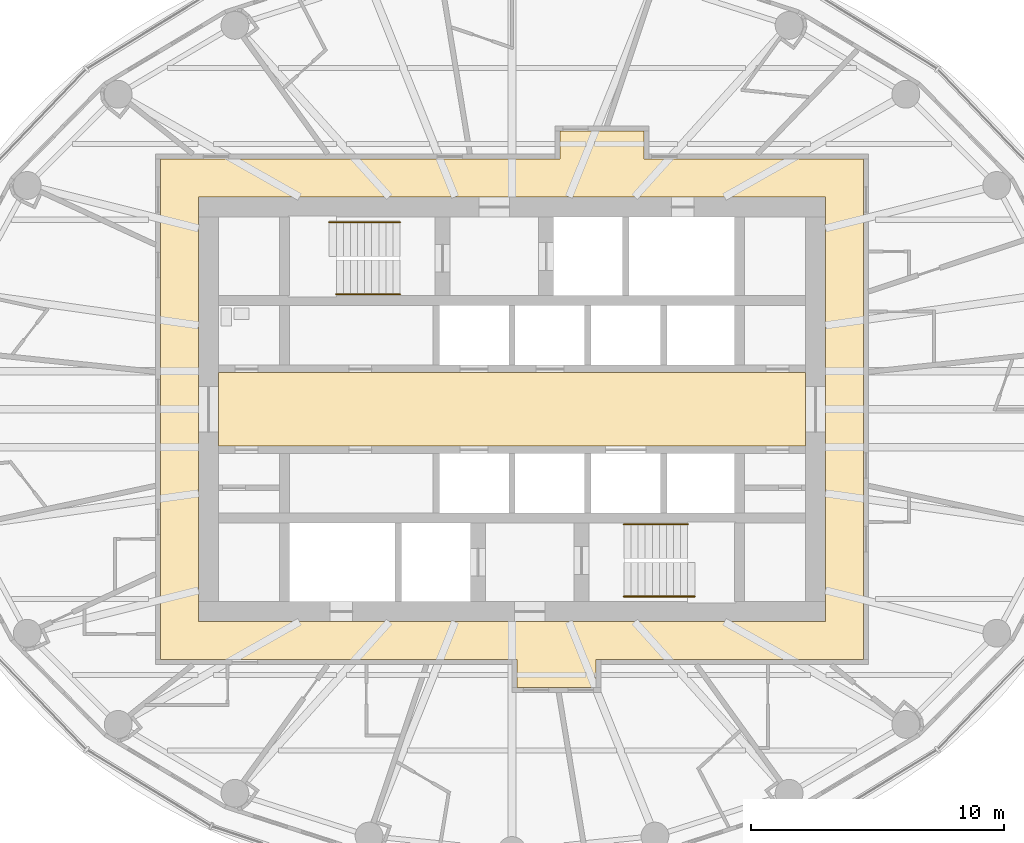
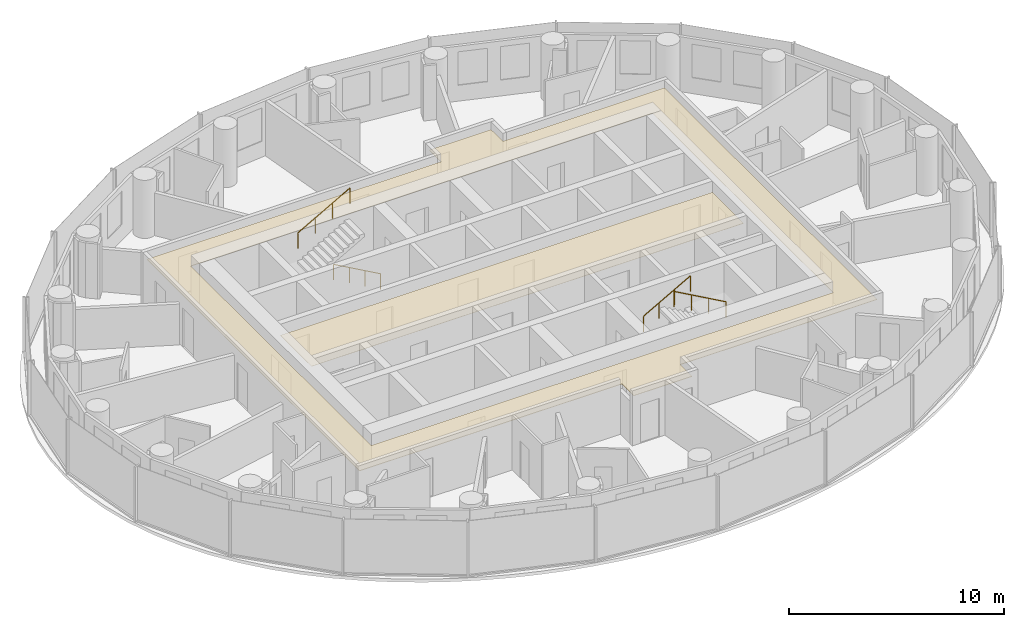
# One storey, part 13 of 14: 4 railings, 2 coverings.
"""IFC4 building model written with IfcOpenShell, lengths in metres."""

from ifc_helpers import new_model, si_unit, direction, frame, origin, origin_2d, place, context, subcontext, project, spatial, polyline, circle, outline, extrude, material, layer, layer_set, type_object, element, save


model = new_model("IFC4")

# Units and contexts
model_context = context("Model", 3, precision=1e-05, world=origin(), true_north=direction((0.0, 1.0)))
body_context = subcontext(model_context, "Body", "Model", "MODEL_VIEW")
ifc_project = project(units=[si_unit("LENGTHUNIT", "METRE"), si_unit("AREAUNIT", "SQUARE_METRE"), si_unit("VOLUMEUNIT", "CUBIC_METRE"), si_unit("PLANEANGLEUNIT", "RADIAN"), si_unit("MASSUNIT", "GRAM", prefix="KILO")], contexts=[model_context])

# Site, building, storey
site_placement = place(None, origin())
site = spatial("IfcSite", under=ifc_project, at=site_placement, CompositionType="ELEMENT")
building_placement = place(site_placement, origin())
building = spatial("IfcBuilding", under=site, at=building_placement, Name="Hankou Lantern Tower", CompositionType="ELEMENT")
storey_placement = place(building_placement, frame((0.0, 0.0, 176.39990234375)))
storey = spatial("IfcBuildingStorey", under=building, at=storey_placement, Name="L47", CompositionType="ELEMENT", Elevation=176.39990234375)

# Coverings
ifc_material_1 = material(Name="Black painted aluminium linear ceiling panels", Category="aluminium")
ifc_layer_1 = layer(ifc_material_1, 0.02490234375)
ifc_layer_set_1 = layer_set([ifc_layer_1], Name="Black painted aluminium linear ceiling panels")
covering_type_1 = type_object("IfcCoveringType", Name="CL1 CORRIDOR CEILING 25", PredefinedType="CEILING", material=ifc_layer_set_1)
covering_1_placement = place(storey_placement, frame((0.0, 0.0, 2.64501953125)))
element("IfcCovering", 1, at=covering_1_placement, inside=storey, type_object=covering_type_1, Name="Corridor ceiling L47", PredefinedType="CEILING", context=body_context, shape_type="SweptSolid", body=[
    extrude(outline(polyline([(3.318115234375, -9.89990234375), (13.89990234375, -9.89990234375), (13.89990234375, 9.89990234375), (5.226806640625, 9.89990234375), (5.226806640625, 11.0), (1.907470703125, 11.0), (1.907470703125, 9.89990234375), (-13.89990234375, 9.89990234375), (-13.89990234375, -9.89990234375), (0.194091796875, -9.89990234375), (0.194091796875, -11.0), (3.318115234375, -11.0), (3.318115234375, -9.89990234375)]), holes=[polyline([(-12.39990234375, 8.39990234375), (12.39990234375, 8.39990234375), (12.39990234375, -8.39990234375), (-12.39990234375, -8.39990234375), (-12.39990234375, 8.39990234375)])]), origin(), (0.0, 0.0, 1.0), 0.025146484375),
])
ifc_material_2 = material(Name="Perforated black aluminium acoustic tray ceiling", Category="aluminium")
ifc_layer_2 = layer(ifc_material_2, 0.014892578125)
ifc_layer_set_2 = layer_set([ifc_layer_2], Name="Perforated black aluminium acoustic tray ceiling")
covering_type_2 = type_object("IfcCoveringType", Name="CL2 LIFT LOBBY CEILING 15", PredefinedType="CEILING", material=ifc_layer_set_2)
covering_2_placement = place(storey_placement, frame((0.0, 0.0, 2.655029296875)))
element("IfcCovering", 2, at=covering_2_placement, inside=storey, type_object=covering_type_2, Name="Lift lobby ceiling L47", PredefinedType="CEILING", context=body_context, shape_type="SweptSolid", body=[
    extrude(outline(polyline([(-11.60009765625, -1.449951171875), (11.60009765625, -1.449951171875), (11.60009765625, 1.449951171875), (-11.60009765625, 1.449951171875), (-11.60009765625, -1.449951171875)])), origin(), (0.0, 0.0, 1.0), 0.01513671875),
])

# Railings
ifc_material_3 = material(Name="Steel handrail", Category="steel")
railing_type = type_object("IfcRailingType", Name="HR1 STAIR HANDRAIL", PredefinedType="HANDRAIL", material=ifc_material_3)
railing_1_placement = place(storey_placement, frame((-4.429931640625, 4.550048828125, 0.900146484375)))
element("IfcRailing", 3, at=railing_1_placement, inside=storey, type_object=railing_type, Name="Handrail stair STA L47 flight 1", PredefinedType="HANDRAIL", context=body_context, shape_type="SweptSolid", body=[
    extrude(circle(Radius=0.02392578125, at=origin_2d()), frame((0.0, 0.0, 0.8759765625), z_axis=(-0.872048945198, 0.0, 0.489418672692), x_axis=(0.0, -1.0, 0.0)), (0.0, 0.0, 1.0), 2.8896484375),
    extrude(circle(Radius=0.02099609375, at=origin_2d()), origin(), (0.0, 0.0, 1.0), 0.851806640625),
    extrude(circle(Radius=0.02099609375, at=origin_2d()), frame((-0.840087890625, 0.0, 0.471435546875)), (0.0, 0.0, 1.0), 0.851806640625),
    extrude(circle(Radius=0.02099609375, at=origin_2d()), frame((-1.679931640625, 0.0, 0.94287109375)), (0.0, 0.0, 1.0), 0.851806640625),
    extrude(circle(Radius=0.02099609375, at=origin_2d()), frame((-2.52001953125, 0.0, 1.414306640625)), (0.0, 0.0, 1.0), 0.851806640625),
])
railing_2_placement = place(storey_placement, frame((-7.22998046875, 7.39990234375, 2.471435546875)))
element("IfcRailing", 4, at=railing_2_placement, inside=storey, type_object=railing_type, Name="Handrail stair STA L47 flight 2", PredefinedType="HANDRAIL", context=body_context, shape_type="SweptSolid", body=[
    extrude(circle(Radius=0.02392578125, at=origin_2d()), frame((0.0, 0.0, 0.8759765625), z_axis=(0.872040151574, 0.0, 0.489434340891), x_axis=(0.0, 1.0, 0.0)), (0.0, 0.0, 1.0), 3.2109375),
    extrude(circle(Radius=0.02099609375, at=origin_2d()), origin(), (0.0, 0.0, 1.0), 0.851806640625),
    extrude(circle(Radius=0.02099609375, at=origin_2d()), frame((0.933349609375, 0.0, 0.52392578125)), (0.0, 0.0, 1.0), 0.851806640625),
    extrude(circle(Radius=0.02099609375, at=origin_2d()), frame((1.86669921875, 0.0, 1.047607421875)), (0.0, 0.0, 1.0), 0.851806640625),
    extrude(circle(Radius=0.02099609375, at=origin_2d()), frame((2.800048828125, 0.0, 1.571533203125)), (0.0, 0.0, 1.0), 0.851806640625),
])
railing_3_placement = place(storey_placement, frame((4.429931640625, -4.550048828125, 0.900146484375)))
element("IfcRailing", 5, at=railing_3_placement, inside=storey, type_object=railing_type, Name="Handrail stair STB L47 flight 1", PredefinedType="HANDRAIL", context=body_context, shape_type="SweptSolid", body=[
    extrude(circle(Radius=0.02392578125, at=origin_2d()), frame((0.0, 0.0, 0.8759765625), z_axis=(0.872048945198, 0.0, 0.489418672692), x_axis=(0.0, 1.0, 0.0)), (0.0, 0.0, 1.0), 2.8896484375),
    extrude(circle(Radius=0.02099609375, at=origin_2d()), origin(), (0.0, 0.0, 1.0), 0.851806640625),
    extrude(circle(Radius=0.02099609375, at=origin_2d()), frame((0.840087890625, 0.0, 0.471435546875)), (0.0, 0.0, 1.0), 0.851806640625),
    extrude(circle(Radius=0.02099609375, at=origin_2d()), frame((1.679931640625, 0.0, 0.94287109375)), (0.0, 0.0, 1.0), 0.851806640625),
    extrude(circle(Radius=0.02099609375, at=origin_2d()), frame((2.52001953125, 0.0, 1.414306640625)), (0.0, 0.0, 1.0), 0.851806640625),
])
railing_4_placement = place(storey_placement, frame((7.22998046875, -7.39990234375, 2.471435546875)))
element("IfcRailing", 6, at=railing_4_placement, inside=storey, type_object=railing_type, Name="Handrail stair STB L47 flight 2", PredefinedType="HANDRAIL", context=body_context, shape_type="SweptSolid", body=[
    extrude(circle(Radius=0.02392578125, at=origin_2d()), frame((0.0, 0.0, 0.8759765625), z_axis=(-0.872040151574, 0.0, 0.489434340891), x_axis=(0.0, -1.0, 0.0)), (0.0, 0.0, 1.0), 3.2109375),
    extrude(circle(Radius=0.02099609375, at=origin_2d()), origin(), (0.0, 0.0, 1.0), 0.851806640625),
    extrude(circle(Radius=0.02099609375, at=origin_2d()), frame((-0.933349609375, 0.0, 0.52392578125)), (0.0, 0.0, 1.0), 0.851806640625),
    extrude(circle(Radius=0.02099609375, at=origin_2d()), frame((-1.86669921875, 0.0, 1.047607421875)), (0.0, 0.0, 1.0), 0.851806640625),
    extrude(circle(Radius=0.02099609375, at=origin_2d()), frame((-2.800048828125, 0.0, 1.571533203125)), (0.0, 0.0, 1.0), 0.851806640625),
])

save(model, "model.ifc")
